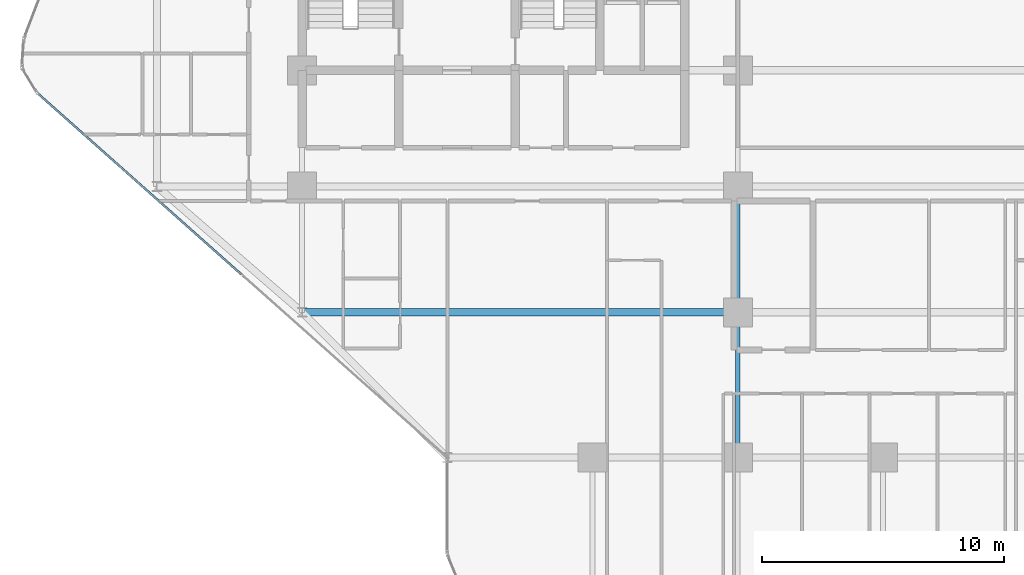
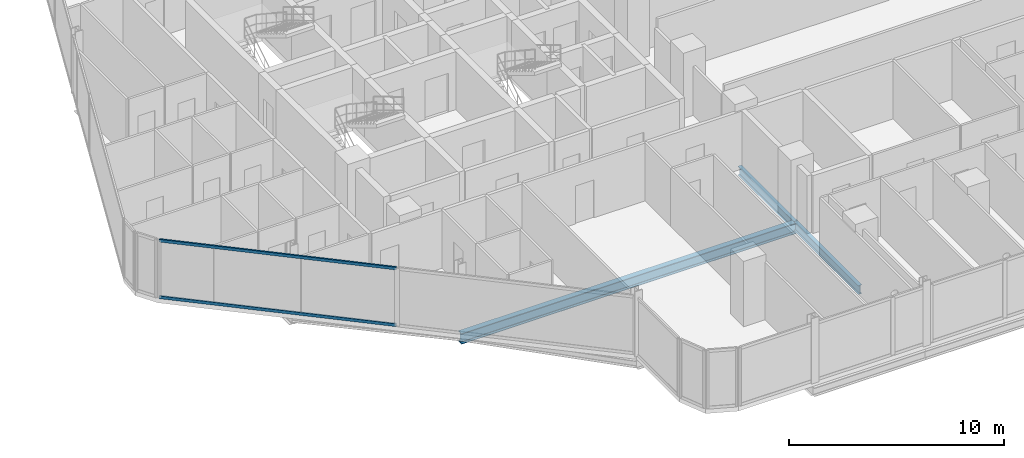
# One storey, part 5 of 33: 3 beams, 2 members, 1 element without a shape of its own.
"""IFC4 building model written with IfcOpenShell, lengths in metres."""

import ifcopenshell
import ifcopenshell.guid

model = None  # the IFC model being written
_history = None  # IfcOwnerHistory: only IFC2X3 demands one
_inside = {}  # id of a spatial element -> (the spatial element, [elements in it])
_under = {}  # id of a project, library or spatial element -> (it, [spatial elements below it])
_declared = {}  # id of a project -> (the project, [libraries it declares])
_typed = {}  # id of a type object -> (the type object, [elements of that type])
_made_of = {}  # id of a material, layer set ... -> (it, [elements and type objects made of it])


def new_model(schema):
    """Start an empty IFC model of exactly this schema.

    Asked for "IFC4X3", IfcOpenShell would pick the latest addendum, in which some entities
    have other attributes; the version numbers below select the first issue.
    IFC2X3 requires an IfcOwnerHistory on every rooted entity: one is made here for all.
    """
    global model, _history
    if schema == "IFC4X3":
        model = ifcopenshell.file(schema_version=(4, 3, 0, 0))
    else:
        model = ifcopenshell.file(schema=schema)
    _inside.clear()
    _under.clear()
    _declared.clear()
    _typed.clear()
    _made_of.clear()
    _history = None
    if model.schema == "IFC2X3":
        org = make("IfcOrganization", Name="unknown")
        user = make(
            "IfcPersonAndOrganization",
            ThePerson=make("IfcPerson", FamilyName="unknown"),
            TheOrganization=org,
        )
        app = make(
            "IfcApplication",
            ApplicationDeveloper=org,
            Version="unknown",
            ApplicationFullName="unknown",
            ApplicationIdentifier="unknown",
        )
        _history = make(
            "IfcOwnerHistory",
            OwningUser=user,
            OwningApplication=app,
            ChangeAction="ADDED",
            CreationDate=0,
        )
    return model


def make(cls, **values):
    """One entity of the class cls with the attributes given. An attribute that is None is left unset."""
    return model.create_entity(
        cls, **{name: value for name, value in values.items() if value is not None}
    )


def rooted(cls, **values):
    """An entity with a GlobalId (a new one), such as an element, a storey or a relation."""
    return make(cls, GlobalId=ifcopenshell.guid.new(), OwnerHistory=_history, **values)


def si_unit(unit_type, name, prefix=None):
    """IfcSIUnit, for example si_unit("LENGTHUNIT", "METRE", prefix="MILLI")."""
    return make("IfcSIUnit", UnitType=unit_type, Prefix=prefix, Name=name)


def assignment(units):
    """IfcUnitAssignment: the units of a project."""
    return None if units is None else make("IfcUnitAssignment", Units=units)


def point(xyz):
    """IfcCartesianPoint."""
    return None if xyz is None else make("IfcCartesianPoint", Coordinates=xyz)


def direction(xyz):
    """IfcDirection."""
    return None if xyz is None else make("IfcDirection", DirectionRatios=xyz)


def frame(location, z_axis=None, x_axis=None):
    """IfcAxis2Placement3D, a coordinate frame: its origin and axes. An axis left out is left unset."""
    return make(
        "IfcAxis2Placement3D",
        Location=point(location),
        Axis=direction(z_axis),
        RefDirection=direction(x_axis),
    )


def frame_2d(location, x_axis=None):
    """IfcAxis2Placement2D, a coordinate frame in the plane: its origin and x axis."""
    return make(
        "IfcAxis2Placement2D", Location=point(location), RefDirection=direction(x_axis)
    )


def origin():
    """The frame at (0, 0, 0) with its axes left unset."""
    return frame((0.0, 0.0, 0.0))


def origin_2d():
    """The frame at (0, 0) in the plane with its x axis left unset."""
    return frame_2d((0.0, 0.0))


def place(relative_to, where):
    """IfcLocalPlacement: puts the frame where relative to a parent placement (None: the world)."""
    return make(
        "IfcLocalPlacement", PlacementRelTo=relative_to, RelativePlacement=where
    )


def context(
    kind, dimensions, precision=None, world=None, true_north=None, identifier=None
):
    """IfcGeometricRepresentationContext, for example the 3D "Model" context."""
    return make(
        "IfcGeometricRepresentationContext",
        ContextIdentifier=identifier,
        ContextType=kind,
        CoordinateSpaceDimension=dimensions,
        Precision=precision,
        WorldCoordinateSystem=world,
        TrueNorth=true_north,
    )


def subcontext(parent, identifier, kind, view, scale=None):
    """IfcGeometricRepresentationSubContext, for example "Body" below "Model"."""
    return make(
        "IfcGeometricRepresentationSubContext",
        ContextIdentifier=identifier,
        ContextType=kind,
        ParentContext=parent,
        TargetScale=scale,
        TargetView=view,
    )


def project(units=None, contexts=None):
    """IfcProject with its units and contexts."""
    return rooted(
        "IfcProject",
        Name="project",
        RepresentationContexts=contexts,
        UnitsInContext=assignment(units),
    )


def spatial(cls, under=None, at=None, **own):
    """A site, building, storey or space (cls), placed at a placement, below another one or the project."""
    s = rooted(cls, ObjectPlacement=at, **own)
    if under is not None:
        _under.setdefault(under.id(), (under, []))[1].append(s)
    return s


def profile(cls, at=None, kind="AREA", **sizes):
    """A parametric profile (cls). Its sizes go by their IFC names, for example OverallWidth=200.0."""
    return make(cls, ProfileType=kind, Position=at, **sizes)


def hollow_rectangle(**sizes):
    """IfcRectangleHollowProfileDef."""
    return profile("IfcRectangleHollowProfileDef", **sizes)


def i_section(**sizes):
    """IfcIShapeProfileDef."""
    return profile("IfcIShapeProfileDef", **sizes)


def extrude(swept, where, along, depth):
    """IfcExtrudedAreaSolid: the profile swept, set in the frame where, extruded along a direction by depth."""
    return make(
        "IfcExtrudedAreaSolid",
        SweptArea=swept,
        Position=where,
        ExtrudedDirection=direction(along),
        Depth=depth,
    )


def shape(context_of_items, identifier, shape_type, items):
    """IfcShapeRepresentation: the items that make up one representation, for example the "Body"."""
    return make(
        "IfcShapeRepresentation",
        ContextOfItems=context_of_items,
        RepresentationIdentifier=identifier,
        RepresentationType=shape_type,
        Items=items,
    )


def material(Name=None, Category=None):
    """IfcMaterial."""
    return make("IfcMaterial", Name=Name, Category=Category)


def layer(
    of_material, thickness, ventilated=None, Name=None, Category=None, Priority=None
):
    """IfcMaterialLayer: one layer of a wall or slab, of a material (None: an air gap)."""
    return make(
        "IfcMaterialLayer",
        Material=of_material,
        LayerThickness=thickness,
        IsVentilated=ventilated,
        Name=Name,
        Category=Category,
        Priority=Priority,
    )


def layer_set(layers, Name=None):
    """IfcMaterialLayerSet."""
    return make("IfcMaterialLayerSet", MaterialLayers=layers, LayerSetName=Name)


def material_profile(
    of_material, cross_section, Name=None, Category=None, Priority=None
):
    """IfcMaterialProfile: a cross section and its material."""
    return make(
        "IfcMaterialProfile",
        Name=Name,
        Material=of_material,
        Profile=cross_section,
        Priority=Priority,
        Category=Category,
    )


def profile_set(profiles, Name=None, composite=None):
    """IfcMaterialProfileSet."""
    return make(
        "IfcMaterialProfileSet",
        Name=Name,
        MaterialProfiles=profiles,
        CompositeProfile=composite,
    )


def made_of(thing, what):
    """Note that an element or type object is made of a material, layer set ...; save() writes the relation."""
    if what is not None:
        _made_of.setdefault(what.id(), (what, []))[1].append(thing)
    return thing


def type_object(cls, material=None, **own):
    """A type object (cls), such as IfcWallType, which elements share."""
    return made_of(rooted(cls, **own), material)


def element(
    cls,
    number,
    at=None,
    inside=None,
    cuts=None,
    type_object=None,
    material=None,
    context=None,
    identifier="Body",
    shape_type=None,
    held_by="IfcProductDefinitionShape",
    body=None,
    shapes=None,
    **own,
):
    """One element of the class cls, such as IfcWall. Its Tag is "e" and its number.

    at: its placement. inside: the storey or other place that contains it. cuts: it is an
    opening in that element (IfcRelVoidsElement). A single representation is given by context,
    identifier, shape_type and body (its items); several are given by shapes. held_by: the class
    of the entity that holds the representations. save() writes the other relations.
    """
    e = rooted(cls, Tag="e%d" % number, ObjectPlacement=at, **own)
    if body is not None:
        shapes = [shape(context, identifier, shape_type, body)]
    if shapes is not None:
        e.Representation = make(held_by, Representations=shapes)
    if inside is not None:
        _inside.setdefault(inside.id(), (inside, []))[1].append(e)
    if cuts is not None:
        rooted(
            "IfcRelVoidsElement", RelatingBuildingElement=cuts, RelatedOpeningElement=e
        )
    if type_object is not None:
        _typed.setdefault(type_object.id(), (type_object, []))[1].append(e)
    return made_of(e, material)


def aggregate(whole, parts):
    """IfcRelAggregates: a whole, such as a stair, and the parts it consists of."""
    return rooted("IfcRelAggregates", RelatingObject=whole, RelatedObjects=parts)


def save(model, path):
    """Write the relations noted so far, then the file.

    IfcRelAggregates (storeys below a building ...), IfcRelContainedInSpatialStructure (elements
    in a storey), IfcRelDefinesByType, IfcRelAssociatesMaterial and IfcRelDeclares: one each for
    every whole, place, type object, material and project.
    """
    for whole, parts in _under.values():
        aggregate(whole, parts)
    for where, things in _inside.values():
        rooted(
            "IfcRelContainedInSpatialStructure",
            RelatedElements=things,
            RelatingStructure=where,
        )
    for kind, things in _typed.values():
        rooted("IfcRelDefinesByType", RelatedObjects=things, RelatingType=kind)
    for what, things in _made_of.values():
        rooted("IfcRelAssociatesMaterial", RelatedObjects=things, RelatingMaterial=what)
    for by, libraries in _declared.values():
        rooted("IfcRelDeclares", RelatingContext=by, RelatedDefinitions=libraries)
    model.write(path)


model = new_model("IFC4")

# Units and contexts
model_context = context("Model", 3, precision=1e-05, world=origin(), true_north=direction((0.0, 1.0)))
body_context = subcontext(model_context, "Body", "Model", "MODEL_VIEW")
ifc_project = project(units=[si_unit("LENGTHUNIT", "METRE"), si_unit("AREAUNIT", "SQUARE_METRE"), si_unit("VOLUMEUNIT", "CUBIC_METRE"), si_unit("PLANEANGLEUNIT", "RADIAN"), si_unit("MASSUNIT", "GRAM", prefix="KILO")], contexts=[model_context])

# Site, building, storey
site_placement = place(None, origin())
site = spatial("IfcSite", under=ifc_project, at=site_placement, CompositionType="ELEMENT")
building_placement = place(site_placement, origin())
building = spatial("IfcBuilding", under=site, at=building_placement, Name="Keshet Zoharim Tower", CompositionType="ELEMENT")
storey_placement = place(building_placement, frame((0.0, 0.0, 57.300048828125)))
storey = spatial("IfcBuildingStorey", under=building, at=storey_placement, Name="L13", CompositionType="ELEMENT", Elevation=57.300048828125)

# Beams
ifc_material_1 = material(Name="Steel S355", Category="steel")
ifc_material_profile_1 = material_profile(ifc_material_1, i_section(OverallWidth=0.300048828125, OverallDepth=0.60009765625, WebThickness=0.015380859375, FlangeThickness=0.030029296875, FilletRadius=0.027099609375, at=origin_2d()), Name="HEB600")
ifc_profile_set_1 = profile_set([ifc_material_profile_1], Name="Steel S355")
beam_type_1 = type_object("IfcBeamType", Name="BM-LNG-HB600", PredefinedType="BEAM", material=ifc_profile_set_1)
beam_1_placement = place(storey_placement, frame((15.0, 12.699951171875, -0.614990234375), z_axis=(1.0, 0.0, 0.0), x_axis=(0.0, 1.0, 0.0)))
element("IfcBeam", 1, at=beam_1_placement, inside=storey, type_object=beam_type_1, Name="L13 Primary Girder X-011", PredefinedType="BEAM", context=body_context, shape_type="SweptSolid", body=[
    extrude(i_section(OverallWidth=0.300048828125, OverallDepth=0.60009765625, WebThickness=0.015380859375, FlangeThickness=0.030029296875, FilletRadius=0.027099609375, at=origin_2d()), origin(), (0.0, 0.0, 1.0), 18.0),
])
ifc_material_profile_2 = material_profile(ifc_material_1, i_section(OverallWidth=0.199951171875, OverallDepth=0.5, WebThickness=0.01025390625, FlangeThickness=0.01611328125, FilletRadius=0.02099609375, at=origin_2d()), Name="IPE500")
ifc_profile_set_2 = profile_set([ifc_material_profile_2], Name="Steel S355")
beam_type_2 = type_object("IfcBeamType", Name="BM-PRI-IP500", PredefinedType="BEAM", material=ifc_profile_set_2)
beam_2_placement = place(storey_placement, frame((33.0, 6.699951171875, -0.56494140625), z_axis=(0.0, 1.0, 0.0), x_axis=(-1.0, 0.0, 0.0)))
element("IfcBeam", 2, at=beam_2_placement, inside=storey, type_object=beam_type_2, Name="L13 Primary Girder Y-006", PredefinedType="BEAM", context=body_context, shape_type="SweptSolid", body=[
    extrude(i_section(OverallWidth=0.199951171875, OverallDepth=0.5, WebThickness=0.01025390625, FlangeThickness=0.01611328125, FilletRadius=0.02099609375, at=origin_2d()), origin(), (0.0, 0.0, 1.0), 6.0),
])
beam_3_placement = place(storey_placement, frame((33.0, 12.699951171875, -0.56494140625), z_axis=(0.0, 1.0, 0.0), x_axis=(-1.0, 0.0, 0.0)))
element("IfcBeam", 3, at=beam_3_placement, inside=storey, type_object=beam_type_2, Name="L13 Primary Girder Y-007", PredefinedType="BEAM", context=body_context, shape_type="SweptSolid", body=[
    extrude(i_section(OverallWidth=0.199951171875, OverallDepth=0.5, WebThickness=0.01025390625, FlangeThickness=0.01611328125, FilletRadius=0.02099609375, at=origin_2d()), origin(), (0.0, 0.0, 1.0), 5.199951171875),
])

# Curtain wall, members
ifc_material_2 = material(Name="Aluminium 6063-T6", Category="aluminium")
ifc_layer = layer(ifc_material_2, 0.179931640625)
ifc_layer_set = layer_set([ifc_layer], Name="Aluminium 6063-T6")
curtain_wall_type = type_object("IfcCurtainWallType", Name="CW-SYS-01", PredefinedType="NOTDEFINED", material=ifc_layer_set)
curtain_wall_placement = place(storey_placement, origin())
curtain_wall = element("IfcCurtainWall", 4, at=curtain_wall_placement, inside=storey, type_object=curtain_wall_type, Name="L13 Unitised Curtain Wall 01", PredefinedType="NOTDEFINED")
ifc_material_profile_3 = material_profile(ifc_material_2, hollow_rectangle(XDim=0.0849609375, YDim=0.159912109375, WallThickness=0.00439453125, at=origin_2d()), Name="TRN-85x160")
ifc_profile_set_3 = profile_set([ifc_material_profile_3], Name="Aluminium 6063-T6")
member_type = type_object("IfcMemberType", Name="CWT-T16", PredefinedType="USERDEFINED", material=ifc_profile_set_3)
member_1_placement = place(storey_placement, frame((12.491455078125, 14.26318359375, 0.034912109375), z_axis=(-0.747411714548, 0.664361143472, 0.0), x_axis=(-0.664361143472, -0.747411714548, 0.0)))
member_1 = element("IfcMember", 5, at=member_1_placement, type_object=member_type, Name="CW-01 transom 2.1", ObjectType="TRANSOM", PredefinedType="USERDEFINED", context=body_context, shape_type="SweptSolid", body=[
    extrude(hollow_rectangle(XDim=0.0849609375, YDim=0.159912109375, WallThickness=0.00439453125, at=origin_2d()), origin(), (0.0, 0.0, 1.0), 11.244140625),
])
member_2_placement = place(storey_placement, frame((12.491455078125, 14.26318359375, 3.244873046875), z_axis=(-0.747411714548, 0.664361143472, 0.0), x_axis=(-0.664361143472, -0.747411714548, 0.0)))
member_2 = element("IfcMember", 6, at=member_2_placement, type_object=member_type, Name="CW-01 transom 2.2", ObjectType="TRANSOM", PredefinedType="USERDEFINED", context=body_context, shape_type="SweptSolid", body=[
    extrude(hollow_rectangle(XDim=0.0849609375, YDim=0.159912109375, WallThickness=0.00439453125, at=origin_2d()), origin(), (0.0, 0.0, 1.0), 11.244140625),
])
aggregate(curtain_wall, [member_1, member_2])

save(model, "model.ifc")
